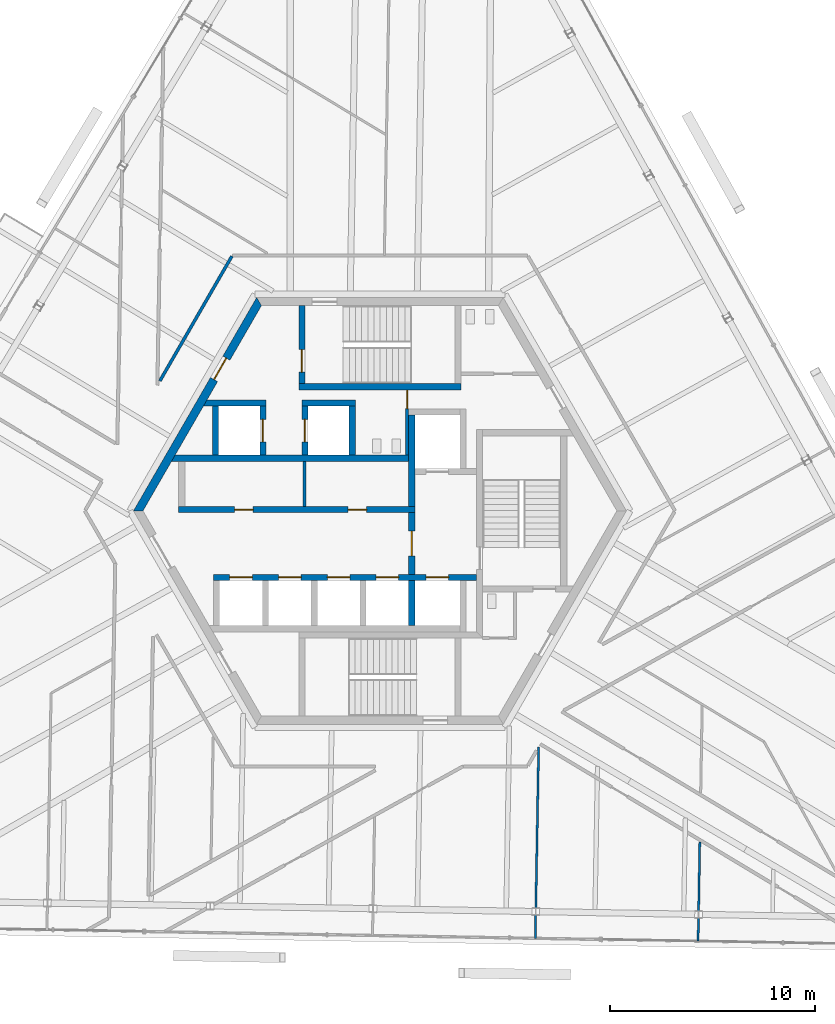
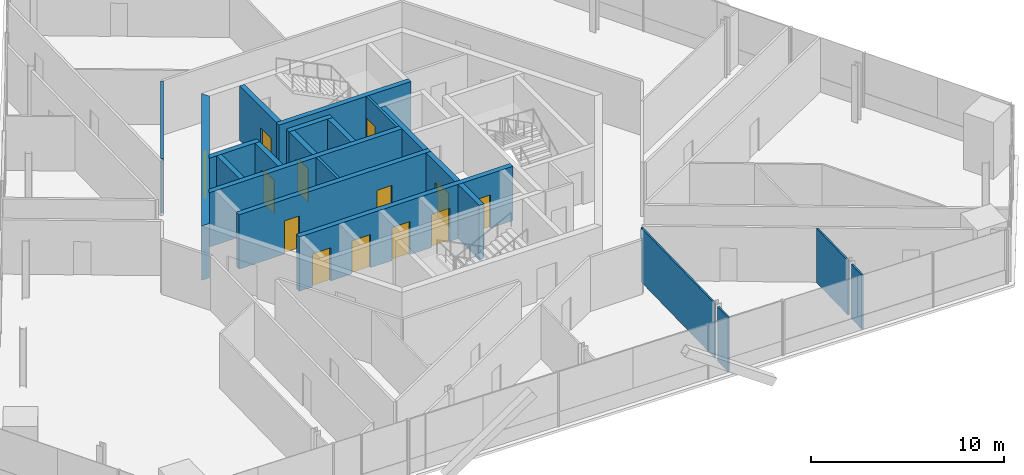
# One storey, part 12 of 18: 22 walls, 13 doors, 13 openings.
"""IFC4 building model written with IfcOpenShell, lengths in metres."""

from ifc_helpers import new_model, si_unit, direction, frame, frame_2d, origin, place, context, subcontext, project, spatial, polyline, rectangle, outline, extrude, source, transform, mapped, material, layer, layer_set, type_object, element, fill, save


model = new_model("IFC4")

# Units and contexts
model_context = context("Model", 3, precision=1e-05, world=origin(), true_north=direction((0.0, 1.0)))
body_context = subcontext(model_context, "Body", "Model", "MODEL_VIEW")
ifc_project = project(units=[si_unit("LENGTHUNIT", "METRE"), si_unit("AREAUNIT", "SQUARE_METRE"), si_unit("VOLUMEUNIT", "CUBIC_METRE"), si_unit("PLANEANGLEUNIT", "RADIAN"), si_unit("MASSUNIT", "GRAM", prefix="KILO")], contexts=[model_context])

# Site, building, storey
site_placement = place(None, origin())
site = spatial("IfcSite", under=ifc_project, at=site_placement, CompositionType="ELEMENT")
building_placement = place(site_placement, origin())
building = spatial("IfcBuilding", under=site, at=building_placement, Name="Triune Harvest Tower", CompositionType="ELEMENT")
storey_placement = place(building_placement, frame((0.0, 0.0, 190.699951171875)))
storey = spatial("IfcBuildingStorey", under=building, at=storey_placement, Name="L49", CompositionType="ELEMENT", Elevation=190.699951171875)

# Walls
ifc_material_1 = material(Name="Gypsum board on steel studs", Category="steel")
ifc_layer_1 = layer(ifc_material_1, 0.14990234375)
ifc_layer_set_1 = layer_set([ifc_layer_1], Name="Gypsum board on steel studs")
wall_type_1 = type_object("IfcWallType", Name="Fire Partition 150 mm", PredefinedType="PARTITIONING", material=ifc_layer_set_1)
wall_1_placement = place(storey_placement, frame((-10.7158203125, 6.32421875, 0.0), z_axis=(0.0, 0.0, 1.0), x_axis=(0.500009674092, 0.866019818373, 0.0)))
element("IfcWall", 1, at=wall_1_placement, inside=storey, type_object=wall_type_1, Name="Partition L49 031", PredefinedType="PARTITIONING", context=body_context, shape_type="SweptSolid", body=[
    extrude(rectangle(XDim=7.014404296875, YDim=0.14990234375, at=frame_2d((3.50732421875, 0.0))), origin(), (0.0, 0.0, 1.0), 3.43994140625),
])
ifc_material_2 = material(Name="Gypsum board on steel studs", Category="steel")
ifc_layer_2 = layer(ifc_material_2, 0.10009765625)
ifc_layer_set_2 = layer_set([ifc_layer_2], Name="Gypsum board on steel studs")
wall_type_2 = type_object("IfcWallType", Name="Partition 100 mm", PredefinedType="PARTITIONING", material=ifc_layer_set_2)
wall_2_placement = place(storey_placement, frame((15.516845703125, -19.47705078125, 0.0), z_axis=(0.0, 0.0, 1.0), x_axis=(0.017427812462, 0.999848124143, 0.0)))
element("IfcWall", 2, at=wall_2_placement, inside=storey, type_object=wall_type_2, Name="Partition L49 033", PredefinedType="PARTITIONING", context=body_context, shape_type="SweptSolid", body=[
    extrude(rectangle(XDim=3.362060546875, YDim=0.10009765625, at=frame_2d((1.68115234375, 0.0))), origin(), (0.0, 0.0, 1.0), 3.43994140625),
])

# Wall, opening, door
ifc_material_3 = material(Name="Concrete 70 MPa", Category="concrete")
ifc_layer_3 = layer(ifc_material_3, 0.39990234375)
ifc_layer_set_3 = layer_set([ifc_layer_3], Name="Concrete 70 MPa")
wall_type_3 = type_object("IfcWallType", Name="Core wall 400", PredefinedType="SHEAR", material=ifc_layer_set_3)
shared_shape_1 = source(origin(), body_context, "Body", "SweptSolid", [
    extrude(outline(polyline([(-0.115478515625, -0.199951171875), (11.884521484375, -0.199951171875), (11.653564453125, 0.199951171875), (0.115478515625, 0.199951171875), (-0.115478515625, -0.199951171875)])), origin(), (0.0, 0.0, 1.0), 3.43994140625),
])
wall_3_placement = place(storey_placement, frame((-5.884521484375, 10.1923828125, 0.0), z_axis=(0.0, 0.0, 1.0), x_axis=(-0.499996592174, -0.866027371285, 0.0)))
wall_3 = element("IfcWall", 3, at=wall_3_placement, inside=storey, type_object=wall_type_3, Name="Hexagon 2 wall", PredefinedType="SHEAR", context=body_context, shape_type="MappedRepresentation", body=[
    mapped(shared_shape_1, transform((0.0, 0.0, 0.0), scale=1.0)),
])
opening_1_placement = place(wall_3_placement, frame((3.1845703125, 0.0, 0.0)))
opening_1 = element("IfcOpeningElement", 4, at=opening_1_placement, cuts=wall_3, Name="Opening CD-SVP", PredefinedType="OPENING", context=body_context, shape_type="SweptSolid", body=[
    extrude(rectangle(XDim=1.199951171875, YDim=2.10009765625, at=frame_2d((0.60009765625, 1.050048828125))), frame((0.0, 0.2099609375, 0.0), z_axis=(0.0, -1.0, 0.0), x_axis=(1.0, 0.0, 0.0)), (0.0, 0.0, 1.0), 0.419921875),
])
ifc_material_4 = material(Name="Steel S235", Category="steel")
door_type_1 = type_object("IfcDoorType", Name="Service door 1200 FD120", OperationType="SINGLE_SWING_LEFT", PredefinedType="DOOR", material=ifc_material_4)
door_1_placement = place(opening_1_placement, frame((1.199951171875, 0.0, 0.0), z_axis=(0.0, 0.0, 1.0), x_axis=(-1.0, 0.0, 0.0)))
door_1 = element("IfcDoor", 5, at=door_1_placement, inside=storey, type_object=door_type_1, Name="Door CD-SVP", OperationType="SINGLE_SWING_RIGHT", OverallHeight=2.10009765625, OverallWidth=1.199951171875, PredefinedType="DOOR", context=body_context, shape_type="SweptSolid", body=[
    extrude(rectangle(XDim=1.199951171875, YDim=2.10009765625, at=frame_2d((0.60009765625, 1.050048828125))), frame((0.0, 0.02490234375, 0.0), z_axis=(0.0, -1.0, 0.0), x_axis=(1.0, 0.0, 0.0)), (0.0, 0.0, 1.0), 0.050048828125),
])
fill(opening_1, door_1)

# Wall, openings, doors
ifc_material_5 = material(Name="Concrete 70 MPa", Category="concrete")
ifc_layer_4 = layer(ifc_material_5, 0.300048828125)
ifc_layer_set_4 = layer_set([ifc_layer_4], Name="Concrete 70 MPa")
wall_type_4 = type_object("IfcWallType", Name="Core wall 300", PredefinedType="SHEAR", material=ifc_layer_set_4)
shared_shape_2 = source(origin(), body_context, "Body", "SweptSolid", [
    extrude(rectangle(XDim=11.5, YDim=0.300048828125, at=frame_2d((5.75, 0.0))), origin(), (0.0, 0.0, 1.0), 3.43994140625),
])
wall_4_placement = place(storey_placement, frame((-9.800048828125, 0.06005859375, 0.0), z_axis=(0.0, 0.0, 1.0), x_axis=(1.0, 0.0, 0.0)))
wall_4 = element("IfcWall", 6, at=wall_4_placement, inside=storey, type_object=wall_type_4, Name="North front wall", PredefinedType="SHEAR", context=body_context, shape_type="MappedRepresentation", body=[
    mapped(shared_shape_2, transform((0.0, 0.0, 0.0), scale=1.0)),
])
opening_2_placement = place(wall_4_placement, frame((2.7275390625, 0.0, 0.0)))
opening_2 = element("IfcOpeningElement", 7, at=opening_2_placement, cuts=wall_4, Name="Opening CD-RN1", PredefinedType="OPENING", context=body_context, shape_type="SweptSolid", body=[
    extrude(rectangle(XDim=0.89990234375, YDim=2.10009765625, at=frame_2d((0.449951171875, 1.050048828125))), frame((0.0, 0.16015625, 0.0), z_axis=(0.0, -1.0, 0.0), x_axis=(1.0, 0.0, 0.0)), (0.0, 0.0, 1.0), 0.320068359375),
])
opening_3_placement = place(wall_4_placement, frame((8.25244140625, 0.0, 0.0)))
opening_3 = element("IfcOpeningElement", 8, at=opening_3_placement, cuts=wall_4, Name="Opening CD-RN2", PredefinedType="OPENING", context=body_context, shape_type="SweptSolid", body=[
    extrude(rectangle(XDim=0.89990234375, YDim=2.10009765625, at=frame_2d((0.449951171875, 1.050048828125))), frame((0.0, 0.16015625, 0.0), z_axis=(0.0, -1.0, 0.0), x_axis=(1.0, 0.0, 0.0)), (0.0, 0.0, 1.0), 0.320068359375),
])
ifc_material_6 = material(Name="Steel S235", Category="steel")
door_type_2 = type_object("IfcDoorType", Name="Riser door 900 FD120", OperationType="SINGLE_SWING_LEFT", PredefinedType="DOOR", material=ifc_material_6)
door_2_placement = place(opening_2_placement, frame((0.89990234375, 0.0, 0.0), z_axis=(0.0, 0.0, 1.0), x_axis=(-1.0, 0.0, 0.0)))
door_2 = element("IfcDoor", 9, at=door_2_placement, inside=storey, type_object=door_type_2, Name="Door CD-RN1", OperationType="SINGLE_SWING_RIGHT", OverallHeight=2.10009765625, OverallWidth=0.89990234375, PredefinedType="DOOR", context=body_context, shape_type="SweptSolid", body=[
    extrude(rectangle(XDim=0.89990234375, YDim=2.10009765625, at=frame_2d((0.449951171875, 1.050048828125))), frame((0.0, 0.02490234375, 0.0), z_axis=(0.0, -1.0, 0.0), x_axis=(1.0, 0.0, 0.0)), (0.0, 0.0, 1.0), 0.050048828125),
])
fill(opening_2, door_2)
door_3_placement = place(opening_3_placement, frame((0.89990234375, 0.0, 0.0), z_axis=(0.0, 0.0, 1.0), x_axis=(-1.0, 0.0, 0.0)))
door_3 = element("IfcDoor", 10, at=door_3_placement, inside=storey, type_object=door_type_2, Name="Door CD-RN2", OperationType="SINGLE_SWING_RIGHT", OverallHeight=2.10009765625, OverallWidth=0.89990234375, PredefinedType="DOOR", context=body_context, shape_type="SweptSolid", body=[
    extrude(rectangle(XDim=0.89990234375, YDim=2.10009765625, at=frame_2d((0.449951171875, 1.050048828125))), frame((0.0, 0.02490234375, 0.0), z_axis=(0.0, -1.0, 0.0), x_axis=(1.0, 0.0, 0.0)), (0.0, 0.0, 1.0), 0.050048828125),
])
fill(opening_3, door_3)

# Walls
shared_shape_3 = source(origin(), body_context, "Body", "SweptSolid", [
    extrude(outline(polyline([(11.199951171875, -0.14990234375), (-0.34912109375, -0.14990234375), (-0.17578125, 0.14990234375), (11.199951171875, 0.14990234375), (11.199951171875, -0.14990234375)])), origin(), (0.0, 0.0, 1.0), 3.43994140625),
])
wall_5_placement = place(storey_placement, frame((-9.800048828125, 2.56005859375, 0.0), z_axis=(0.0, 0.0, 1.0), x_axis=(1.0, 0.0, 0.0)))
element("IfcWall", 11, at=wall_5_placement, inside=storey, type_object=wall_type_4, Name="North back wall", PredefinedType="SHEAR", context=body_context, shape_type="MappedRepresentation", body=[
    mapped(shared_shape_3, transform((0.0, 0.0, 0.0), scale=1.0)),
])
shared_shape_4 = source(origin(), body_context, "Body", "SweptSolid", [
    extrude(rectangle(XDim=4.449951171875, YDim=0.300048828125, at=frame_2d((2.22509765625, 0.0))), origin(), (0.0, 0.0, 1.0), 3.43994140625),
])
wall_6_placement = place(storey_placement, frame((1.550048828125, 0.2099609375, 0.0), z_axis=(0.0, 0.0, 1.0), x_axis=(0.0, 1.0, 0.0)))
element("IfcWall", 12, at=wall_6_placement, inside=storey, type_object=wall_type_4, Name="Ff1 west wall", PredefinedType="SHEAR", context=body_context, shape_type="MappedRepresentation", body=[
    mapped(shared_shape_4, transform((0.0, 0.0, 0.0), scale=1.0)),
])

# Wall, opening, door
shared_shape_5 = source(origin(), body_context, "Body", "SweptSolid", [
    extrude(rectangle(XDim=3.0, YDim=0.300048828125, at=frame_2d((1.5, 0.0))), origin(), (0.0, 0.0, 1.0), 3.43994140625),
])
wall_7_placement = place(storey_placement, frame((1.550048828125, -3.090087890625, 0.0), z_axis=(0.0, 0.0, 1.0), x_axis=(0.0, 1.0, 0.0)))
wall_7 = element("IfcWall", 13, at=wall_7_placement, inside=storey, type_object=wall_type_4, Name="Ff lobby west wall", PredefinedType="SHEAR", context=body_context, shape_type="MappedRepresentation", body=[
    mapped(shared_shape_5, transform((0.0, 0.0, 0.0), scale=1.0)),
])
opening_4_placement = place(wall_7_placement, frame((0.89990234375, 0.0, 0.0)))
opening_4 = element("IfcOpeningElement", 14, at=opening_4_placement, cuts=wall_7, Name="Opening CD-FL", PredefinedType="OPENING", context=body_context, shape_type="SweptSolid", body=[
    extrude(rectangle(XDim=1.199951171875, YDim=2.10009765625, at=frame_2d((0.60009765625, 1.050048828125))), frame((0.0, 0.16015625, 0.0), z_axis=(0.0, -1.0, 0.0), x_axis=(1.0, 0.0, 0.0)), (0.0, 0.0, 1.0), 0.320068359375),
])
ifc_material_7 = material(Name="Steel S235", Category="steel")
door_type_3 = type_object("IfcDoorType", Name="Firefighters' lobby door 1200 FD120", OperationType="SINGLE_SWING_LEFT", PredefinedType="DOOR", material=ifc_material_7)
door_4_placement = place(opening_4_placement, frame((1.199951171875, 0.0, 0.0), z_axis=(0.0, 0.0, 1.0), x_axis=(-1.0, 0.0, 0.0)))
door_4 = element("IfcDoor", 15, at=door_4_placement, inside=storey, type_object=door_type_3, Name="Door CD-FL", OperationType="SINGLE_SWING_RIGHT", OverallHeight=2.10009765625, OverallWidth=1.199951171875, PredefinedType="DOOR", context=body_context, shape_type="SweptSolid", body=[
    extrude(rectangle(XDim=1.199951171875, YDim=2.10009765625, at=frame_2d((0.60009765625, 1.050048828125))), frame((0.0, 0.02490234375, 0.0), z_axis=(0.0, -1.0, 0.0), x_axis=(1.0, 0.0, 0.0)), (0.0, 0.0, 1.0), 0.050048828125),
])
fill(opening_4, door_4)

# Wall, openings, doors
shared_shape_6 = source(origin(), body_context, "Body", "SweptSolid", [
    extrude(rectangle(XDim=12.800048828125, YDim=0.300048828125, at=frame_2d((6.39990234375, 0.0))), origin(), (0.0, 0.0, 1.0), 3.43994140625),
])
wall_8_placement = place(storey_placement, frame((-8.10009765625, -3.239990234375, 0.0), z_axis=(0.0, 0.0, 1.0), x_axis=(1.0, 0.0, 0.0)))
wall_8 = element("IfcWall", 16, at=wall_8_placement, inside=storey, type_object=wall_type_4, Name="South front wall", PredefinedType="SHEAR", context=body_context, shape_type="MappedRepresentation", body=[
    mapped(shared_shape_6, transform((0.0, 0.0, 0.0), scale=1.0)),
])
opening_5_placement = place(wall_8_placement, frame((0.78759765625, 0.0, 0.0)))
opening_5 = element("IfcOpeningElement", 17, at=opening_5_placement, cuts=wall_8, Name="Opening LD-HR1-49", PredefinedType="OPENING", context=body_context, shape_type="SweptSolid", body=[
    extrude(rectangle(XDim=1.10009765625, YDim=2.10009765625, at=frame_2d((0.550048828125, 1.050048828125))), frame((0.0, 0.16015625, 0.0), z_axis=(0.0, -1.0, 0.0), x_axis=(1.0, 0.0, 0.0)), (0.0, 0.0, 1.0), 0.320068359375),
])
opening_6_placement = place(wall_8_placement, frame((3.16259765625, 0.0, 0.0)))
opening_6 = element("IfcOpeningElement", 18, at=opening_6_placement, cuts=wall_8, Name="Opening LD-HR2-49", PredefinedType="OPENING", context=body_context, shape_type="SweptSolid", body=[
    extrude(rectangle(XDim=1.10009765625, YDim=2.10009765625, at=frame_2d((0.550048828125, 1.050048828125))), frame((0.0, 0.16015625, 0.0), z_axis=(0.0, -1.0, 0.0), x_axis=(1.0, 0.0, 0.0)), (0.0, 0.0, 1.0), 0.320068359375),
])
opening_7_placement = place(wall_8_placement, frame((5.53759765625, 0.0, 0.0)))
opening_7 = element("IfcOpeningElement", 19, at=opening_7_placement, cuts=wall_8, Name="Opening LD-HR3-49", PredefinedType="OPENING", context=body_context, shape_type="SweptSolid", body=[
    extrude(rectangle(XDim=1.10009765625, YDim=2.10009765625, at=frame_2d((0.550048828125, 1.050048828125))), frame((0.0, 0.16015625, 0.0), z_axis=(0.0, -1.0, 0.0), x_axis=(1.0, 0.0, 0.0)), (0.0, 0.0, 1.0), 0.320068359375),
])
opening_8_placement = place(wall_8_placement, frame((7.91259765625, 0.0, 0.0)))
opening_8 = element("IfcOpeningElement", 20, at=opening_8_placement, cuts=wall_8, Name="Opening LD-HR4-49", PredefinedType="OPENING", context=body_context, shape_type="SweptSolid", body=[
    extrude(rectangle(XDim=1.10009765625, YDim=2.10009765625, at=frame_2d((0.550048828125, 1.050048828125))), frame((0.0, 0.16015625, 0.0), z_axis=(0.0, -1.0, 0.0), x_axis=(1.0, 0.0, 0.0)), (0.0, 0.0, 1.0), 0.320068359375),
])
opening_9_placement = place(wall_8_placement, frame((10.35009765625, 0.0, 0.0)))
opening_9 = element("IfcOpeningElement", 21, at=opening_9_placement, cuts=wall_8, Name="Opening LD-FF2-49", PredefinedType="OPENING", context=body_context, shape_type="SweptSolid", body=[
    extrude(rectangle(XDim=1.10009765625, YDim=2.10009765625, at=frame_2d((0.550048828125, 1.050048828125))), frame((0.0, 0.16015625, 0.0), z_axis=(0.0, -1.0, 0.0), x_axis=(1.0, 0.0, 0.0)), (0.0, 0.0, 1.0), 0.320068359375),
])
ifc_material_8 = material(Name="Stainless steel AISI 304", Category="steel")
door_type_4 = type_object("IfcDoorType", Name="Landing door 1100 x 2100", OperationType="DOUBLE_DOOR_SLIDING", PredefinedType="DOOR", material=ifc_material_8)
door_5_placement = place(opening_5_placement, origin())
door_5 = element("IfcDoor", 22, at=door_5_placement, inside=storey, type_object=door_type_4, Name="Door LD-HR1-49", OperationType="DOUBLE_DOOR_SLIDING", OverallHeight=2.10009765625, OverallWidth=1.10009765625, PredefinedType="DOOR", context=body_context, shape_type="SweptSolid", body=[
    extrude(rectangle(XDim=1.10009765625, YDim=2.10009765625, at=frame_2d((0.550048828125, 1.050048828125))), frame((0.0, 0.02490234375, 0.0), z_axis=(0.0, -1.0, 0.0), x_axis=(1.0, 0.0, 0.0)), (0.0, 0.0, 1.0), 0.050048828125),
])
fill(opening_5, door_5)
door_6_placement = place(opening_6_placement, origin())
door_6 = element("IfcDoor", 23, at=door_6_placement, inside=storey, type_object=door_type_4, Name="Door LD-HR2-49", OperationType="DOUBLE_DOOR_SLIDING", OverallHeight=2.10009765625, OverallWidth=1.10009765625, PredefinedType="DOOR", context=body_context, shape_type="SweptSolid", body=[
    extrude(rectangle(XDim=1.10009765625, YDim=2.10009765625, at=frame_2d((0.550048828125, 1.050048828125))), frame((0.0, 0.02490234375, 0.0), z_axis=(0.0, -1.0, 0.0), x_axis=(1.0, 0.0, 0.0)), (0.0, 0.0, 1.0), 0.050048828125),
])
fill(opening_6, door_6)
door_7_placement = place(opening_7_placement, origin())
door_7 = element("IfcDoor", 24, at=door_7_placement, inside=storey, type_object=door_type_4, Name="Door LD-HR3-49", OperationType="DOUBLE_DOOR_SLIDING", OverallHeight=2.10009765625, OverallWidth=1.10009765625, PredefinedType="DOOR", context=body_context, shape_type="SweptSolid", body=[
    extrude(rectangle(XDim=1.10009765625, YDim=2.10009765625, at=frame_2d((0.550048828125, 1.050048828125))), frame((0.0, 0.02490234375, 0.0), z_axis=(0.0, -1.0, 0.0), x_axis=(1.0, 0.0, 0.0)), (0.0, 0.0, 1.0), 0.050048828125),
])
fill(opening_7, door_7)
door_8_placement = place(opening_8_placement, origin())
door_8 = element("IfcDoor", 25, at=door_8_placement, inside=storey, type_object=door_type_4, Name="Door LD-HR4-49", OperationType="DOUBLE_DOOR_SLIDING", OverallHeight=2.10009765625, OverallWidth=1.10009765625, PredefinedType="DOOR", context=body_context, shape_type="SweptSolid", body=[
    extrude(rectangle(XDim=1.10009765625, YDim=2.10009765625, at=frame_2d((0.550048828125, 1.050048828125))), frame((0.0, 0.02490234375, 0.0), z_axis=(0.0, -1.0, 0.0), x_axis=(1.0, 0.0, 0.0)), (0.0, 0.0, 1.0), 0.050048828125),
])
fill(opening_8, door_8)
door_9_placement = place(opening_9_placement, origin())
door_9 = element("IfcDoor", 26, at=door_9_placement, inside=storey, type_object=door_type_4, Name="Door LD-FF2-49", OperationType="DOUBLE_DOOR_SLIDING", OverallHeight=2.10009765625, OverallWidth=1.10009765625, PredefinedType="DOOR", context=body_context, shape_type="SweptSolid", body=[
    extrude(rectangle(XDim=1.10009765625, YDim=2.10009765625, at=frame_2d((0.550048828125, 1.050048828125))), frame((0.0, 0.02490234375, 0.0), z_axis=(0.0, -1.0, 0.0), x_axis=(1.0, 0.0, 0.0)), (0.0, 0.0, 1.0), 0.050048828125),
])
fill(opening_9, door_9)

# Walls
shared_shape_7 = source(origin(), body_context, "Body", "SweptSolid", [
    extrude(rectangle(XDim=2.2001953125, YDim=0.300048828125, at=frame_2d((1.10009765625, 0.0))), origin(), (0.0, 0.0, 1.0), 3.43994140625),
])
wall_9_placement = place(storey_placement, frame((1.550048828125, -5.590087890625, 0.0), z_axis=(0.0, 0.0, 1.0), x_axis=(0.0, 1.0, 0.0)))
element("IfcWall", 27, at=wall_9_placement, inside=storey, type_object=wall_type_4, Name="Ff2 west wall", PredefinedType="SHEAR", context=body_context, shape_type="MappedRepresentation", body=[
    mapped(shared_shape_7, transform((0.0, 0.0, 0.0), scale=1.0)),
])
shared_shape_8 = source(origin(), body_context, "Body", "SweptSolid", [
    extrude(rectangle(XDim=7.89990234375, YDim=0.300048828125, at=frame_2d((3.949951171875, 0.0))), origin(), (0.0, 0.0, 1.0), 3.43994140625),
])
wall_10_placement = place(storey_placement, frame((-3.949951171875, 6.0400390625, 0.0), z_axis=(0.0, 0.0, 1.0), x_axis=(1.0, 0.0, 0.0)))
element("IfcWall", 28, at=wall_10_placement, inside=storey, type_object=wall_type_4, Name="Stair n south wall", PredefinedType="SHEAR", context=body_context, shape_type="MappedRepresentation", body=[
    mapped(shared_shape_8, transform((0.0, 0.0, 0.0), scale=1.0)),
])

# Wall, opening, door
shared_shape_9 = source(origin(), body_context, "Body", "SweptSolid", [
    extrude(outline(polyline([(0.0, -0.14990234375), (0.0, 0.14990234375), (3.80419921875, 0.14990234375), (3.80419921875, -0.14990234375), (0.0, -0.14990234375)])), origin(), (0.0, 0.0, 1.0), 3.43994140625),
])
wall_11_placement = place(storey_placement, frame((-3.800048828125, 6.18994140625, 0.0), z_axis=(0.0, 0.0, 1.0), x_axis=(0.0, 1.0, 0.0)))
wall_11 = element("IfcWall", 29, at=wall_11_placement, inside=storey, type_object=wall_type_4, Name="Stair n west wall", PredefinedType="SHEAR", context=body_context, shape_type="MappedRepresentation", body=[
    mapped(shared_shape_9, transform((0.0, 0.0, 0.0), scale=1.0)),
])
opening_10_placement = place(wall_11_placement, frame((0.56005859375, 0.0, 0.0)))
opening_10 = element("IfcOpeningElement", 30, at=opening_10_placement, cuts=wall_11, Name="Opening CD-S1L", PredefinedType="OPENING", context=body_context, shape_type="SweptSolid", body=[
    extrude(rectangle(XDim=1.10009765625, YDim=2.10009765625, at=frame_2d((0.550048828125, 1.050048828125))), frame((0.0, 0.16015625, 0.0), z_axis=(0.0, -1.0, 0.0), x_axis=(1.0, 0.0, 0.0)), (0.0, 0.0, 1.0), 0.320068359375),
])
ifc_material_9 = material(Name="Steel S235", Category="steel")
door_type_5 = type_object("IfcDoorType", Name="Stair door 1100 FD120", OperationType="SINGLE_SWING_LEFT", PredefinedType="DOOR", material=ifc_material_9)
door_10_placement = place(opening_10_placement, frame((1.10009765625, 0.0, 0.0), z_axis=(0.0, 0.0, 1.0), x_axis=(-1.0, 0.0, 0.0)))
door_10 = element("IfcDoor", 31, at=door_10_placement, inside=storey, type_object=door_type_5, Name="Door CD-S1L", OperationType="SINGLE_SWING_RIGHT", OverallHeight=2.10009765625, OverallWidth=1.10009765625, PredefinedType="DOOR", context=body_context, shape_type="SweptSolid", body=[
    extrude(rectangle(XDim=1.10009765625, YDim=2.10009765625, at=frame_2d((0.550048828125, 1.050048828125))), frame((0.0, 0.02490234375, 0.0), z_axis=(0.0, -1.0, 0.0), x_axis=(1.0, 0.0, 0.0)), (0.0, 0.0, 1.0), 0.050048828125),
])
fill(opening_10, door_10)

# Walls
shared_shape_10 = source(origin(), body_context, "Body", "SweptSolid", [
    extrude(outline(polyline([(2.60009765625, -0.14990234375), (-0.440185546875, -0.14990234375), (-0.26708984375, 0.14990234375), (2.60009765625, 0.14990234375), (2.60009765625, -0.14990234375)])), origin(), (0.0, 0.0, 1.0), 3.43994140625),
])
wall_12_placement = place(storey_placement, frame((-8.14990234375, 5.260009765625, 0.0), z_axis=(0.0, 0.0, 1.0), x_axis=(1.0, 0.0, 0.0)))
element("IfcWall", 32, at=wall_12_placement, inside=storey, type_object=wall_type_4, Name="Sv1 north wall", PredefinedType="SHEAR", context=body_context, shape_type="MappedRepresentation", body=[
    mapped(shared_shape_10, transform((0.0, 0.0, 0.0), scale=1.0)),
])
shared_shape_11 = source(origin(), body_context, "Body", "SweptSolid", [
    extrude(rectangle(XDim=2.400146484375, YDim=0.300048828125, at=frame_2d((1.2001953125, 0.0))), origin(), (0.0, 0.0, 1.0), 3.43994140625),
])
wall_13_placement = place(storey_placement, frame((-8.0, 2.7099609375, 0.0), z_axis=(0.0, 0.0, 1.0), x_axis=(0.0, 1.0, 0.0)))
element("IfcWall", 33, at=wall_13_placement, inside=storey, type_object=wall_type_4, Name="Sv1 west wall", PredefinedType="SHEAR", context=body_context, shape_type="MappedRepresentation", body=[
    mapped(shared_shape_11, transform((0.0, 0.0, 0.0), scale=1.0)),
])

# Wall, opening, door
wall_14_placement = place(storey_placement, frame((-5.699951171875, 2.7099609375, 0.0), z_axis=(0.0, 0.0, 1.0), x_axis=(0.0, 1.0, 0.0)))
wall_14 = element("IfcWall", 34, at=wall_14_placement, inside=storey, type_object=wall_type_4, Name="Sv1 east wall", PredefinedType="SHEAR", context=body_context, shape_type="MappedRepresentation", body=[
    mapped(shared_shape_11, transform((0.0, 0.0, 0.0), scale=1.0)),
])
opening_11_placement = place(wall_14_placement, frame((0.64990234375, 0.0, 0.0)))
opening_11 = element("IfcOpeningElement", 35, at=opening_11_placement, cuts=wall_14, Name="Opening LD-SV1-49", PredefinedType="OPENING", context=body_context, shape_type="SweptSolid", body=[
    extrude(rectangle(XDim=1.10009765625, YDim=2.10009765625, at=frame_2d((0.550048828125, 1.050048828125))), frame((0.0, 0.16015625, 0.0), z_axis=(0.0, -1.0, 0.0), x_axis=(1.0, 0.0, 0.0)), (0.0, 0.0, 1.0), 0.320068359375),
])
door_11_placement = place(opening_11_placement, origin())
door_11 = element("IfcDoor", 36, at=door_11_placement, inside=storey, type_object=door_type_4, Name="Door LD-SV1-49", OperationType="DOUBLE_DOOR_SLIDING", OverallHeight=2.10009765625, OverallWidth=1.10009765625, PredefinedType="DOOR", context=body_context, shape_type="SweptSolid", body=[
    extrude(rectangle(XDim=1.10009765625, YDim=2.10009765625, at=frame_2d((0.550048828125, 1.050048828125))), frame((0.0, 0.02490234375, 0.0), z_axis=(0.0, -1.0, 0.0), x_axis=(1.0, 0.0, 0.0)), (0.0, 0.0, 1.0), 0.050048828125),
])
fill(opening_11, door_11)

wall_15_placement = place(storey_placement, frame((-3.64990234375, 2.7099609375, 0.0), z_axis=(0.0, 0.0, 1.0), x_axis=(0.0, 1.0, 0.0)))
wall_15 = element("IfcWall", 37, at=wall_15_placement, inside=storey, type_object=wall_type_4, Name="Sv2 west wall", PredefinedType="SHEAR", context=body_context, shape_type="MappedRepresentation", body=[
    mapped(shared_shape_11, transform((0.0, 0.0, 0.0), scale=1.0)),
])
opening_12_placement = place(wall_15_placement, frame((0.64990234375, 0.0, 0.0)))
opening_12 = element("IfcOpeningElement", 38, at=opening_12_placement, cuts=wall_15, Name="Opening LD-SV2-49", PredefinedType="OPENING", context=body_context, shape_type="SweptSolid", body=[
    extrude(rectangle(XDim=1.10009765625, YDim=2.10009765625, at=frame_2d((0.550048828125, 1.050048828125))), frame((0.0, 0.16015625, 0.0), z_axis=(0.0, -1.0, 0.0), x_axis=(1.0, 0.0, 0.0)), (0.0, 0.0, 1.0), 0.320068359375),
])
door_12_placement = place(opening_12_placement, origin())
door_12 = element("IfcDoor", 39, at=door_12_placement, inside=storey, type_object=door_type_4, Name="Door LD-SV2-49", OperationType="DOUBLE_DOOR_SLIDING", OverallHeight=2.10009765625, OverallWidth=1.10009765625, PredefinedType="DOOR", context=body_context, shape_type="SweptSolid", body=[
    extrude(rectangle(XDim=1.10009765625, YDim=2.10009765625, at=frame_2d((0.550048828125, 1.050048828125))), frame((0.0, 0.02490234375, 0.0), z_axis=(0.0, -1.0, 0.0), x_axis=(1.0, 0.0, 0.0)), (0.0, 0.0, 1.0), 0.050048828125),
])
fill(opening_12, door_12)

# Walls
wall_16_placement = place(storey_placement, frame((-1.35009765625, 2.7099609375, 0.0), z_axis=(0.0, 0.0, 1.0), x_axis=(0.0, 1.0, 0.0)))
element("IfcWall", 40, at=wall_16_placement, inside=storey, type_object=wall_type_4, Name="Sv2 east wall", PredefinedType="SHEAR", context=body_context, shape_type="MappedRepresentation", body=[
    mapped(shared_shape_11, transform((0.0, 0.0, 0.0), scale=1.0)),
])
shared_shape_12 = source(origin(), body_context, "Body", "SweptSolid", [
    extrude(rectangle(XDim=2.60009765625, YDim=0.300048828125, at=frame_2d((1.300048828125, 0.0))), origin(), (0.0, 0.0, 1.0), 3.43994140625),
])
wall_17_placement = place(storey_placement, frame((-3.800048828125, 5.260009765625, 0.0), z_axis=(0.0, 0.0, 1.0), x_axis=(1.0, 0.0, 0.0)))
element("IfcWall", 41, at=wall_17_placement, inside=storey, type_object=wall_type_4, Name="Sv2 north wall", PredefinedType="SHEAR", context=body_context, shape_type="MappedRepresentation", body=[
    mapped(shared_shape_12, transform((0.0, 0.0, 0.0), scale=1.0)),
])

# Wall, opening, door
ifc_material_10 = material(Name="Concrete masonry unit", Category="masonry")
ifc_layer_5 = layer(ifc_material_10, 0.14990234375)
ifc_layer_set_5 = layer_set([ifc_layer_5], Name="Concrete masonry unit")
wall_type_5 = type_object("IfcWallType", Name="Block partition 150 unrated", PredefinedType="PARTITIONING", material=ifc_layer_set_5)
shared_shape_13 = source(origin(), body_context, "Body", "SweptSolid", [
    extrude(rectangle(XDim=3.179931640625, YDim=0.14990234375, at=frame_2d((1.58984375, 0.0))), origin(), (0.0, 0.0, 1.0), 3.43994140625),
])
wall_18_placement = place(storey_placement, frame((1.324951171875, 2.7099609375, 0.0), z_axis=(0.0, 0.0, 1.0), x_axis=(0.0, 1.0, 0.0)))
wall_18 = element("IfcWall", 42, at=wall_18_placement, inside=storey, type_object=wall_type_5, Name="Wc men east wall", PredefinedType="PARTITIONING", context=body_context, shape_type="MappedRepresentation", body=[
    mapped(shared_shape_13, transform((0.0, 0.0, 0.0), scale=1.0)),
])
opening_13_placement = place(wall_18_placement, frame((2.264892578125, 0.0, 0.0)))
opening_13 = element("IfcOpeningElement", 43, at=opening_13_placement, cuts=wall_18, Name="Opening CD-WM", PredefinedType="OPENING", context=body_context, shape_type="SweptSolid", body=[
    extrude(rectangle(XDim=0.89990234375, YDim=2.10009765625, at=frame_2d((0.449951171875, 1.050048828125))), frame((0.0, 0.0849609375, 0.0), z_axis=(0.0, -1.0, 0.0), x_axis=(1.0, 0.0, 0.0)), (0.0, 0.0, 1.0), 0.169921875),
])
ifc_material_11 = material(Name="Timber C24", Category="wood")
door_type_6 = type_object("IfcDoorType", Name="WC door 900", OperationType="SINGLE_SWING_LEFT", PredefinedType="DOOR", material=ifc_material_11)
door_13_placement = place(opening_13_placement, origin())
door_13 = element("IfcDoor", 44, at=door_13_placement, inside=storey, type_object=door_type_6, Name="Door CD-WM", OperationType="SINGLE_SWING_LEFT", OverallHeight=2.10009765625, OverallWidth=0.89990234375, PredefinedType="DOOR", context=body_context, shape_type="SweptSolid", body=[
    extrude(rectangle(XDim=0.89990234375, YDim=2.10009765625, at=frame_2d((0.449951171875, 1.050048828125))), frame((0.0, 0.02490234375, 0.0), z_axis=(0.0, -1.0, 0.0), x_axis=(1.0, 0.0, 0.0)), (0.0, 0.0, 1.0), 0.050048828125),
])
fill(opening_13, door_13)

# Walls
ifc_material_12 = material(Name="Concrete masonry unit", Category="masonry")
ifc_layer_6 = layer(ifc_material_12, 0.14990234375)
ifc_layer_set_6 = layer_set([ifc_layer_6], Name="Concrete masonry unit")
wall_type_6 = type_object("IfcWallType", Name="Block partition 150", PredefinedType="PARTITIONING", material=ifc_layer_set_6)
shared_shape_14 = source(origin(), body_context, "Body", "SweptSolid", [
    extrude(rectangle(XDim=2.199951171875, YDim=0.14990234375, at=frame_2d((1.10009765625, 0.0))), origin(), (0.0, 0.0, 1.0), 3.43994140625),
])
wall_19_placement = place(storey_placement, frame((-3.669921875, 0.2099609375, 0.0), z_axis=(0.0, 0.0, 1.0), x_axis=(0.0, 1.0, 0.0)))
element("IfcWall", 45, at=wall_19_placement, inside=storey, type_object=wall_type_6, Name="Row n part 1 wall", PredefinedType="PARTITIONING", context=body_context, shape_type="MappedRepresentation", body=[
    mapped(shared_shape_14, transform((0.0, 0.0, 0.0), scale=1.0)),
])
shared_shape_15 = source(origin(), body_context, "Body", "SweptSolid", [
    extrude(rectangle(XDim=1.130615234375, YDim=0.10009765625, at=frame_2d((0.5654296875, 0.0))), origin(), (0.0, 0.0, 1.0), 3.43994140625),
])
for number, where, z_axis, x_axis, name in (
    (46, (15.4912109375, -20.95068359375, 0.0), (0.0, 0.0, 1.0), (0.017491923839, 0.999847004596, 0.0), "Partition L49 032"),
    (47, (7.565185546875, -20.812255859375, 0.0), (0.0, 0.0, 1.0), (0.017491923839, 0.999847004596, 0.0), "Partition L49 035"),
):
    element("IfcWall", number, at=place(storey_placement, frame(where, z_axis=z_axis, x_axis=x_axis)), inside=storey, type_object=wall_type_2, Name=name, PredefinedType="PARTITIONING", context=body_context, shape_type="MappedRepresentation", body=[
        mapped(shared_shape_15, transform((0.0, 0.0, 0.0), scale=1.0)),
    ])
shared_shape_16 = source(origin(), body_context, "Body", "SweptSolid", [
    extrude(rectangle(XDim=7.84033203125, YDim=0.10009765625, at=frame_2d((3.920166015625, 0.0))), origin(), (0.0, 0.0, 1.0), 3.43994140625),
])
wall_20_placement = place(storey_placement, frame((7.5908203125, -19.3388671875, 0.0), z_axis=(0.0, 0.0, 1.0), x_axis=(0.017469070781, 0.99984740414, 0.0)))
element("IfcWall", 48, at=wall_20_placement, inside=storey, type_object=wall_type_2, Name="Partition L49 036", PredefinedType="PARTITIONING", context=body_context, shape_type="MappedRepresentation", body=[
    mapped(shared_shape_16, transform((0.0, 0.0, 0.0), scale=1.0)),
])

save(model, "model.ifc")
